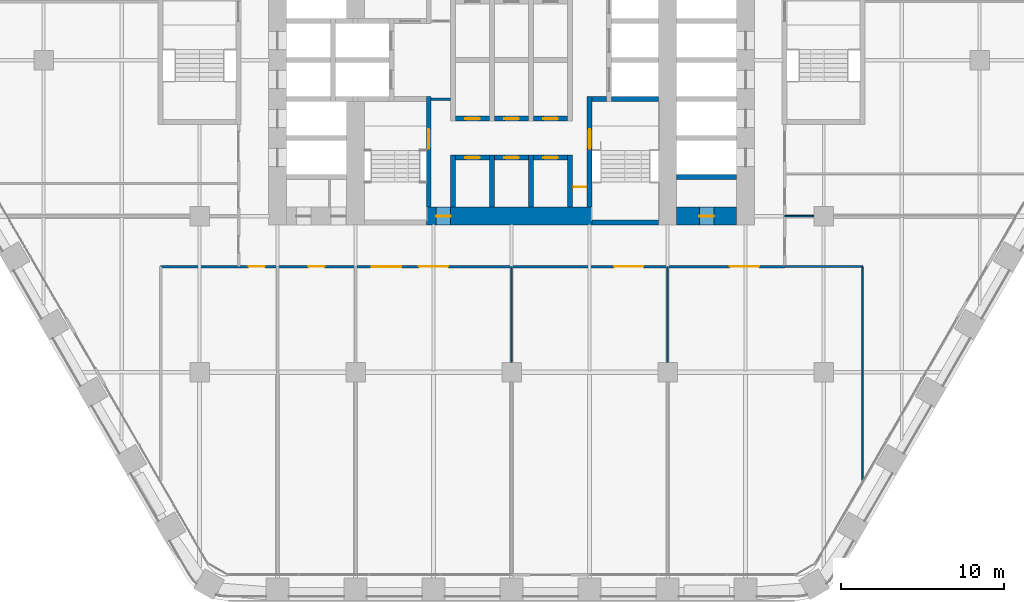
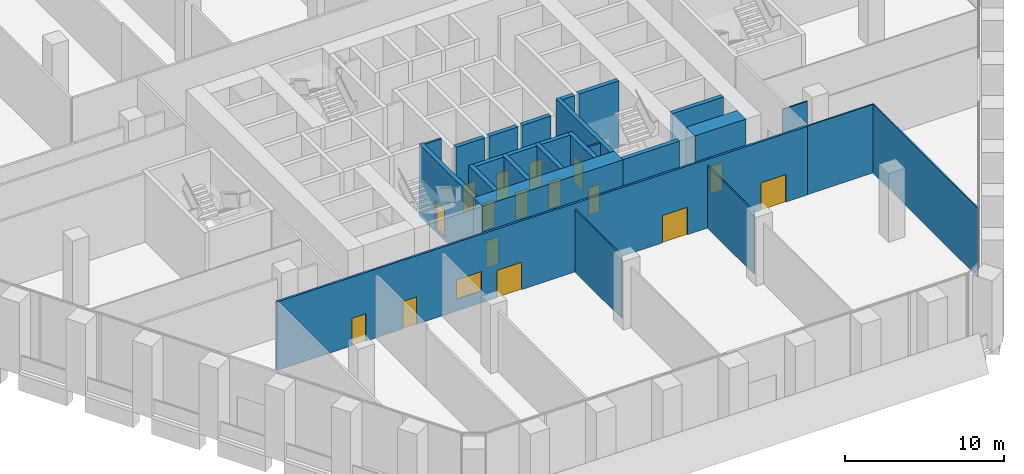
# One storey, part 18 of 27: 26 walls, 16 doors, 1 window, 17 openings.
"""IFC4 building model written with IfcOpenShell, lengths in metres."""

import ifcopenshell
import ifcopenshell.guid

model = None  # the IFC model being written
_history = None  # IfcOwnerHistory: only IFC2X3 demands one
_inside = {}  # id of a spatial element -> (the spatial element, [elements in it])
_under = {}  # id of a project, library or spatial element -> (it, [spatial elements below it])
_declared = {}  # id of a project -> (the project, [libraries it declares])
_typed = {}  # id of a type object -> (the type object, [elements of that type])
_made_of = {}  # id of a material, layer set ... -> (it, [elements and type objects made of it])


def new_model(schema):
    """Start an empty IFC model of exactly this schema.

    Asked for "IFC4X3", IfcOpenShell would pick the latest addendum, in which some entities
    have other attributes; the version numbers below select the first issue.
    IFC2X3 requires an IfcOwnerHistory on every rooted entity: one is made here for all.
    """
    global model, _history
    if schema == "IFC4X3":
        model = ifcopenshell.file(schema_version=(4, 3, 0, 0))
    else:
        model = ifcopenshell.file(schema=schema)
    _inside.clear()
    _under.clear()
    _declared.clear()
    _typed.clear()
    _made_of.clear()
    _history = None
    if model.schema == "IFC2X3":
        org = make("IfcOrganization", Name="unknown")
        user = make(
            "IfcPersonAndOrganization",
            ThePerson=make("IfcPerson", FamilyName="unknown"),
            TheOrganization=org,
        )
        app = make(
            "IfcApplication",
            ApplicationDeveloper=org,
            Version="unknown",
            ApplicationFullName="unknown",
            ApplicationIdentifier="unknown",
        )
        _history = make(
            "IfcOwnerHistory",
            OwningUser=user,
            OwningApplication=app,
            ChangeAction="ADDED",
            CreationDate=0,
        )
    return model


def make(cls, **values):
    """One entity of the class cls with the attributes given. An attribute that is None is left unset."""
    return model.create_entity(
        cls, **{name: value for name, value in values.items() if value is not None}
    )


def rooted(cls, **values):
    """An entity with a GlobalId (a new one), such as an element, a storey or a relation."""
    return make(cls, GlobalId=ifcopenshell.guid.new(), OwnerHistory=_history, **values)


def si_unit(unit_type, name, prefix=None):
    """IfcSIUnit, for example si_unit("LENGTHUNIT", "METRE", prefix="MILLI")."""
    return make("IfcSIUnit", UnitType=unit_type, Prefix=prefix, Name=name)


def assignment(units):
    """IfcUnitAssignment: the units of a project."""
    return None if units is None else make("IfcUnitAssignment", Units=units)


def point(xyz):
    """IfcCartesianPoint."""
    return None if xyz is None else make("IfcCartesianPoint", Coordinates=xyz)


def direction(xyz):
    """IfcDirection."""
    return None if xyz is None else make("IfcDirection", DirectionRatios=xyz)


def frame(location, z_axis=None, x_axis=None):
    """IfcAxis2Placement3D, a coordinate frame: its origin and axes. An axis left out is left unset."""
    return make(
        "IfcAxis2Placement3D",
        Location=point(location),
        Axis=direction(z_axis),
        RefDirection=direction(x_axis),
    )


def frame_2d(location, x_axis=None):
    """IfcAxis2Placement2D, a coordinate frame in the plane: its origin and x axis."""
    return make(
        "IfcAxis2Placement2D", Location=point(location), RefDirection=direction(x_axis)
    )


def origin():
    """The frame at (0, 0, 0) with its axes left unset."""
    return frame((0.0, 0.0, 0.0))


def place(relative_to, where):
    """IfcLocalPlacement: puts the frame where relative to a parent placement (None: the world)."""
    return make(
        "IfcLocalPlacement", PlacementRelTo=relative_to, RelativePlacement=where
    )


def context(
    kind, dimensions, precision=None, world=None, true_north=None, identifier=None
):
    """IfcGeometricRepresentationContext, for example the 3D "Model" context."""
    return make(
        "IfcGeometricRepresentationContext",
        ContextIdentifier=identifier,
        ContextType=kind,
        CoordinateSpaceDimension=dimensions,
        Precision=precision,
        WorldCoordinateSystem=world,
        TrueNorth=true_north,
    )


def subcontext(parent, identifier, kind, view, scale=None):
    """IfcGeometricRepresentationSubContext, for example "Body" below "Model"."""
    return make(
        "IfcGeometricRepresentationSubContext",
        ContextIdentifier=identifier,
        ContextType=kind,
        ParentContext=parent,
        TargetScale=scale,
        TargetView=view,
    )


def project(units=None, contexts=None):
    """IfcProject with its units and contexts."""
    return rooted(
        "IfcProject",
        Name="project",
        RepresentationContexts=contexts,
        UnitsInContext=assignment(units),
    )


def spatial(cls, under=None, at=None, **own):
    """A site, building, storey or space (cls), placed at a placement, below another one or the project."""
    s = rooted(cls, ObjectPlacement=at, **own)
    if under is not None:
        _under.setdefault(under.id(), (under, []))[1].append(s)
    return s


def profile(cls, at=None, kind="AREA", **sizes):
    """A parametric profile (cls). Its sizes go by their IFC names, for example OverallWidth=200.0."""
    return make(cls, ProfileType=kind, Position=at, **sizes)


def rectangle(**sizes):
    """IfcRectangleProfileDef."""
    return profile("IfcRectangleProfileDef", **sizes)


def extrude(swept, where, along, depth):
    """IfcExtrudedAreaSolid: the profile swept, set in the frame where, extruded along a direction by depth."""
    return make(
        "IfcExtrudedAreaSolid",
        SweptArea=swept,
        Position=where,
        ExtrudedDirection=direction(along),
        Depth=depth,
    )


def shape(context_of_items, identifier, shape_type, items):
    """IfcShapeRepresentation: the items that make up one representation, for example the "Body"."""
    return make(
        "IfcShapeRepresentation",
        ContextOfItems=context_of_items,
        RepresentationIdentifier=identifier,
        RepresentationType=shape_type,
        Items=items,
    )


def material(Name=None, Category=None):
    """IfcMaterial."""
    return make("IfcMaterial", Name=Name, Category=Category)


def layer(
    of_material, thickness, ventilated=None, Name=None, Category=None, Priority=None
):
    """IfcMaterialLayer: one layer of a wall or slab, of a material (None: an air gap)."""
    return make(
        "IfcMaterialLayer",
        Material=of_material,
        LayerThickness=thickness,
        IsVentilated=ventilated,
        Name=Name,
        Category=Category,
        Priority=Priority,
    )


def layer_set(layers, Name=None):
    """IfcMaterialLayerSet."""
    return make("IfcMaterialLayerSet", MaterialLayers=layers, LayerSetName=Name)


def made_of(thing, what):
    """Note that an element or type object is made of a material, layer set ...; save() writes the relation."""
    if what is not None:
        _made_of.setdefault(what.id(), (what, []))[1].append(thing)
    return thing


def type_object(cls, material=None, **own):
    """A type object (cls), such as IfcWallType, which elements share."""
    return made_of(rooted(cls, **own), material)


def element(
    cls,
    number,
    at=None,
    inside=None,
    cuts=None,
    type_object=None,
    material=None,
    context=None,
    identifier="Body",
    shape_type=None,
    held_by="IfcProductDefinitionShape",
    body=None,
    shapes=None,
    **own,
):
    """One element of the class cls, such as IfcWall. Its Tag is "e" and its number.

    at: its placement. inside: the storey or other place that contains it. cuts: it is an
    opening in that element (IfcRelVoidsElement). A single representation is given by context,
    identifier, shape_type and body (its items); several are given by shapes. held_by: the class
    of the entity that holds the representations. save() writes the other relations.
    """
    e = rooted(cls, Tag="e%d" % number, ObjectPlacement=at, **own)
    if body is not None:
        shapes = [shape(context, identifier, shape_type, body)]
    if shapes is not None:
        e.Representation = make(held_by, Representations=shapes)
    if inside is not None:
        _inside.setdefault(inside.id(), (inside, []))[1].append(e)
    if cuts is not None:
        rooted(
            "IfcRelVoidsElement", RelatingBuildingElement=cuts, RelatedOpeningElement=e
        )
    if type_object is not None:
        _typed.setdefault(type_object.id(), (type_object, []))[1].append(e)
    return made_of(e, material)


def fill(opening, filler):
    """IfcRelFillsElement: the door or window that sits in an opening."""
    return rooted(
        "IfcRelFillsElement",
        RelatingOpeningElement=opening,
        RelatedBuildingElement=filler,
    )


def aggregate(whole, parts):
    """IfcRelAggregates: a whole, such as a stair, and the parts it consists of."""
    return rooted("IfcRelAggregates", RelatingObject=whole, RelatedObjects=parts)


def save(model, path):
    """Write the relations noted so far, then the file.

    IfcRelAggregates (storeys below a building ...), IfcRelContainedInSpatialStructure (elements
    in a storey), IfcRelDefinesByType, IfcRelAssociatesMaterial and IfcRelDeclares: one each for
    every whole, place, type object, material and project.
    """
    for whole, parts in _under.values():
        aggregate(whole, parts)
    for where, things in _inside.values():
        rooted(
            "IfcRelContainedInSpatialStructure",
            RelatedElements=things,
            RelatingStructure=where,
        )
    for kind, things in _typed.values():
        rooted("IfcRelDefinesByType", RelatedObjects=things, RelatingType=kind)
    for what, things in _made_of.values():
        rooted("IfcRelAssociatesMaterial", RelatedObjects=things, RelatingMaterial=what)
    for by, libraries in _declared.values():
        rooted("IfcRelDeclares", RelatingContext=by, RelatedDefinitions=libraries)
    model.write(path)


model = new_model("IFC4")

# Units and contexts
model_context = context("Model", 3, precision=1e-05, world=origin(), true_north=direction((0.0, 1.0)))
body_context = subcontext(model_context, "Body", "Model", "MODEL_VIEW")
ifc_project = project(units=[si_unit("LENGTHUNIT", "METRE"), si_unit("AREAUNIT", "SQUARE_METRE"), si_unit("VOLUMEUNIT", "CUBIC_METRE"), si_unit("PLANEANGLEUNIT", "RADIAN"), si_unit("MASSUNIT", "GRAM", prefix="KILO")], contexts=[model_context])

# Site, building, storey
site_placement = place(None, origin())
site = spatial("IfcSite", under=ifc_project, at=site_placement, CompositionType="ELEMENT")
building_placement = place(site_placement, origin())
building = spatial("IfcBuilding", under=site, at=building_placement, Name="Kolab Exchange Tower", CompositionType="ELEMENT")
storey_placement = place(building_placement, frame((0.0, 0.0, 22.39990234375)))
storey = spatial("IfcBuildingStorey", under=building, at=storey_placement, Name="L04", CompositionType="ELEMENT", Elevation=22.39990234375)

# Wall, opening, door
ifc_material_1 = material(Name="Concrete C80/95", Category="concrete")
ifc_layer_1 = layer(ifc_material_1, 1.10009765625)
ifc_layer_set_1 = layer_set([ifc_layer_1], Name="Concrete C80/95")
wall_type_1 = type_object("IfcWallType", Name="CORE WALL 1100 C80/95", PredefinedType="SHEAR", material=ifc_layer_set_1)
wall_1_placement = place(storey_placement, frame((-5.25, -9.60009765625, -0.25), z_axis=(0.0, 0.0, 1.0), x_axis=(1.0, 0.0, 0.0)))
wall_1 = element("IfcWall", 1, at=wall_1_placement, inside=storey, type_object=wall_type_1, Name="wall/L04/core/003", PredefinedType="SHEAR", context=body_context, shape_type="SweptSolid", body=[
    extrude(rectangle(XDim=10.199951171875, YDim=1.10009765625, at=frame_2d((5.10009765625, 0.0))), origin(), (0.0, 0.0, 1.0), 5.5),
])
opening_1_placement = place(wall_1_placement, frame((0.60009765625, 0.0, 0.25)))
opening_1 = element("IfcOpeningElement", 2, at=opening_1_placement, cuts=wall_1, Name="Opening D6-096", PredefinedType="OPENING", context=body_context, shape_type="SweptSolid", body=[
    extrude(rectangle(XDim=0.89990234375, YDim=2.10009765625, at=frame_2d((0.449951171875, 1.050048828125))), frame((0.0, 0.56005859375, 0.0), z_axis=(0.0, -1.0, 0.0), x_axis=(1.0, 0.0, 0.0)), (0.0, 0.0, 1.0), 1.1201171875),
])
ifc_material_2 = material(Name="Steel S235", Category="steel")
door_type_1 = type_object("IfcDoorType", Name="CORE DOOR 900 EI 120", OperationType="SINGLE_SWING_LEFT", PredefinedType="DOOR", material=ifc_material_2)
door_1_placement = place(opening_1_placement, origin())
door_1 = element("IfcDoor", 3, at=door_1_placement, inside=storey, type_object=door_type_1, Name="Core lobby door", OperationType="SINGLE_SWING_RIGHT", OverallHeight=2.10009765625, OverallWidth=0.89990234375, PredefinedType="DOOR", context=body_context, shape_type="SweptSolid", body=[
    extrude(rectangle(XDim=0.89990234375, YDim=2.10009765625, at=frame_2d((0.449951171875, 1.050048828125))), frame((0.0, 0.02490234375, 0.0), z_axis=(0.0, -1.0, 0.0), x_axis=(1.0, 0.0, 0.0)), (0.0, 0.0, 1.0), 0.050048828125),
])
fill(opening_1, door_1)

wall_2_placement = place(storey_placement, frame((10.14990234375, -9.60009765625, -0.25), z_axis=(0.0, 0.0, 1.0), x_axis=(1.0, 0.0, 0.0)))
wall_2 = element("IfcWall", 4, at=wall_2_placement, inside=storey, type_object=wall_type_1, Name="wall/L04/core/004", PredefinedType="SHEAR", context=body_context, shape_type="SweptSolid", body=[
    extrude(rectangle(XDim=3.7001953125, YDim=1.10009765625, at=frame_2d((1.85009765625, 0.0))), origin(), (0.0, 0.0, 1.0), 5.5),
])
opening_2_placement = place(wall_2_placement, frame((1.39990234375, 0.0, 0.25)))
opening_2 = element("IfcOpeningElement", 5, at=opening_2_placement, cuts=wall_2, Name="Opening D6-100", PredefinedType="OPENING", context=body_context, shape_type="SweptSolid", body=[
    extrude(rectangle(XDim=0.89990234375, YDim=2.10009765625, at=frame_2d((0.449951171875, 1.050048828125))), frame((0.0, 0.56005859375, 0.0), z_axis=(0.0, -1.0, 0.0), x_axis=(1.0, 0.0, 0.0)), (0.0, 0.0, 1.0), 1.1201171875),
])
door_2_placement = place(opening_2_placement, origin())
door_2 = element("IfcDoor", 6, at=door_2_placement, inside=storey, type_object=door_type_1, Name="Service room door", OperationType="SINGLE_SWING_LEFT", OverallHeight=2.10009765625, OverallWidth=0.89990234375, PredefinedType="DOOR", context=body_context, shape_type="SweptSolid", body=[
    extrude(rectangle(XDim=0.89990234375, YDim=2.10009765625, at=frame_2d((0.449951171875, 1.050048828125))), frame((0.0, 0.02490234375, 0.0), z_axis=(0.0, -1.0, 0.0), x_axis=(1.0, 0.0, 0.0)), (0.0, 0.0, 1.0), 0.050048828125),
])
fill(opening_2, door_2)

# Wall
ifc_material_3 = material(Name="Concrete C50/60", Category="concrete")
ifc_layer_2 = layer(ifc_material_3, 0.300048828125)
ifc_layer_set_2 = layer_set([ifc_layer_2], Name="Concrete C50/60")
wall_type_2 = type_object("IfcWallType", Name="LIFT SHAFT WALL 300 C50/60", PredefinedType="STANDARD", material=ifc_layer_set_2)
wall_3_placement = place(storey_placement, frame((10.14990234375, -7.199951171875, -0.25), z_axis=(0.0, 0.0, 1.0), x_axis=(1.0, 0.0, 0.0)))
element("IfcWall", 7, at=wall_3_placement, inside=storey, type_object=wall_type_2, Name="wall/L04/core/006", PredefinedType="STANDARD", context=body_context, shape_type="SweptSolid", body=[
    extrude(rectangle(XDim=3.7001953125, YDim=0.300048828125, at=frame_2d((1.85009765625, 0.0))), origin(), (0.0, 0.0, 1.0), 5.5),
])

# Wall, opening, door
wall_4_placement = place(storey_placement, frame((-3.449951171875, -6.0, -0.25), z_axis=(0.0, 0.0, 1.0), x_axis=(1.0, 0.0, 0.0)))
wall_4 = element("IfcWall", 8, at=wall_4_placement, inside=storey, type_object=wall_type_2, Name="wall/L04/core/007", PredefinedType="STANDARD", context=body_context, shape_type="SweptSolid", body=[
    extrude(rectangle(XDim=2.099853515625, YDim=0.300048828125, at=frame_2d((1.0498046875, 0.0))), origin(), (0.0, 0.0, 1.0), 5.5),
])
opening_3_placement = place(wall_4_placement, frame((0.60009765625, 0.0, 0.25)))
opening_3 = element("IfcOpeningElement", 9, at=opening_3_placement, cuts=wall_4, Name="Opening D6-095", PredefinedType="OPENING", context=body_context, shape_type="SweptSolid", body=[
    extrude(rectangle(XDim=0.89990234375, YDim=2.10009765625, at=frame_2d((0.449951171875, 1.050048828125))), frame((0.0, 0.16015625, 0.0), z_axis=(0.0, -1.0, 0.0), x_axis=(1.0, 0.0, 0.0)), (0.0, 0.0, 1.0), 0.320068359375),
])
door_3_placement = place(opening_3_placement, frame((0.89990234375, 0.0, 0.0), z_axis=(0.0, 0.0, 1.0), x_axis=(-1.0, 0.0, 0.0)))
door_3 = element("IfcDoor", 10, at=door_3_placement, inside=storey, type_object=door_type_1, Name="Service room door", OperationType="SINGLE_SWING_LEFT", OverallHeight=2.10009765625, OverallWidth=0.89990234375, PredefinedType="DOOR", context=body_context, shape_type="SweptSolid", body=[
    extrude(rectangle(XDim=0.89990234375, YDim=2.10009765625, at=frame_2d((0.449951171875, 1.050048828125))), frame((0.0, 0.02490234375, 0.0), z_axis=(0.0, -1.0, 0.0), x_axis=(1.0, 0.0, 0.0)), (0.0, 0.0, 1.0), 0.050048828125),
])
fill(opening_3, door_3)

wall_5_placement = place(storey_placement, frame((-1.050048828125, -6.0, -0.25), z_axis=(0.0, 0.0, 1.0), x_axis=(1.0, 0.0, 0.0)))
wall_5 = element("IfcWall", 11, at=wall_5_placement, inside=storey, type_object=wall_type_2, Name="wall/L04/core/008", PredefinedType="STANDARD", context=body_context, shape_type="SweptSolid", body=[
    extrude(rectangle(XDim=2.10009765625, YDim=0.300048828125, at=frame_2d((1.050048828125, 0.0))), origin(), (0.0, 0.0, 1.0), 5.5),
])
opening_4_placement = place(wall_5_placement, frame((0.60009765625, 0.0, 0.25)))
opening_4 = element("IfcOpeningElement", 12, at=opening_4_placement, cuts=wall_5, Name="Opening D6-094", PredefinedType="OPENING", context=body_context, shape_type="SweptSolid", body=[
    extrude(rectangle(XDim=0.89990234375, YDim=2.10009765625, at=frame_2d((0.449951171875, 1.050048828125))), frame((0.0, 0.16015625, 0.0), z_axis=(0.0, -1.0, 0.0), x_axis=(1.0, 0.0, 0.0)), (0.0, 0.0, 1.0), 0.320068359375),
])
door_4_placement = place(opening_4_placement, frame((0.89990234375, 0.0, 0.0), z_axis=(0.0, 0.0, 1.0), x_axis=(-1.0, 0.0, 0.0)))
door_4 = element("IfcDoor", 13, at=door_4_placement, inside=storey, type_object=door_type_1, Name="Service room door", OperationType="SINGLE_SWING_LEFT", OverallHeight=2.10009765625, OverallWidth=0.89990234375, PredefinedType="DOOR", context=body_context, shape_type="SweptSolid", body=[
    extrude(rectangle(XDim=0.89990234375, YDim=2.10009765625, at=frame_2d((0.449951171875, 1.050048828125))), frame((0.0, 0.02490234375, 0.0), z_axis=(0.0, -1.0, 0.0), x_axis=(1.0, 0.0, 0.0)), (0.0, 0.0, 1.0), 0.050048828125),
])
fill(opening_4, door_4)

wall_6_placement = place(storey_placement, frame((1.35009765625, -6.0, -0.25), z_axis=(0.0, 0.0, 1.0), x_axis=(1.0, 0.0, 0.0)))
wall_6 = element("IfcWall", 14, at=wall_6_placement, inside=storey, type_object=wall_type_2, Name="wall/L04/core/009", PredefinedType="STANDARD", context=body_context, shape_type="SweptSolid", body=[
    extrude(rectangle(XDim=2.099853515625, YDim=0.300048828125, at=frame_2d((1.0498046875, 0.0))), origin(), (0.0, 0.0, 1.0), 5.5),
])
opening_5_placement = place(wall_6_placement, frame((0.60009765625, 0.0, 0.25)))
opening_5 = element("IfcOpeningElement", 15, at=opening_5_placement, cuts=wall_6, Name="Opening D6-093", PredefinedType="OPENING", context=body_context, shape_type="SweptSolid", body=[
    extrude(rectangle(XDim=0.89990234375, YDim=2.10009765625, at=frame_2d((0.449951171875, 1.050048828125))), frame((0.0, 0.16015625, 0.0), z_axis=(0.0, -1.0, 0.0), x_axis=(1.0, 0.0, 0.0)), (0.0, 0.0, 1.0), 0.320068359375),
])
door_5_placement = place(opening_5_placement, frame((0.89990234375, 0.0, 0.0), z_axis=(0.0, 0.0, 1.0), x_axis=(-1.0, 0.0, 0.0)))
door_5 = element("IfcDoor", 16, at=door_5_placement, inside=storey, type_object=door_type_1, Name="Service room door", OperationType="SINGLE_SWING_RIGHT", OverallHeight=2.10009765625, OverallWidth=0.89990234375, PredefinedType="DOOR", context=body_context, shape_type="SweptSolid", body=[
    extrude(rectangle(XDim=0.89990234375, YDim=2.10009765625, at=frame_2d((0.449951171875, 1.050048828125))), frame((0.0, 0.02490234375, 0.0), z_axis=(0.0, -1.0, 0.0), x_axis=(1.0, 0.0, 0.0)), (0.0, 0.0, 1.0), 0.050048828125),
])
fill(opening_5, door_5)

wall_7_placement = place(storey_placement, frame((-3.449951171875, -3.60009765625, -0.25), z_axis=(0.0, 0.0, 1.0), x_axis=(1.0, 0.0, 0.0)))
wall_7 = element("IfcWall", 17, at=wall_7_placement, inside=storey, type_object=wall_type_2, Name="wall/L04/core/014", PredefinedType="STANDARD", context=body_context, shape_type="SweptSolid", body=[
    extrude(rectangle(XDim=2.099853515625, YDim=0.300048828125, at=frame_2d((1.0498046875, 0.0))), origin(), (0.0, 0.0, 1.0), 5.5),
])
opening_6_placement = place(wall_7_placement, frame((0.60009765625, 0.0, 0.25)))
opening_6 = element("IfcOpeningElement", 18, at=opening_6_placement, cuts=wall_7, Name="Opening D6-092", PredefinedType="OPENING", context=body_context, shape_type="SweptSolid", body=[
    extrude(rectangle(XDim=0.89990234375, YDim=2.10009765625, at=frame_2d((0.449951171875, 1.050048828125))), frame((0.0, 0.16015625, 0.0), z_axis=(0.0, -1.0, 0.0), x_axis=(1.0, 0.0, 0.0)), (0.0, 0.0, 1.0), 0.320068359375),
])
door_6_placement = place(opening_6_placement, origin())
door_6 = element("IfcDoor", 19, at=door_6_placement, inside=storey, type_object=door_type_1, Name="Service room door", OperationType="SINGLE_SWING_LEFT", OverallHeight=2.10009765625, OverallWidth=0.89990234375, PredefinedType="DOOR", context=body_context, shape_type="SweptSolid", body=[
    extrude(rectangle(XDim=0.89990234375, YDim=2.10009765625, at=frame_2d((0.449951171875, 1.050048828125))), frame((0.0, 0.02490234375, 0.0), z_axis=(0.0, -1.0, 0.0), x_axis=(1.0, 0.0, 0.0)), (0.0, 0.0, 1.0), 0.050048828125),
])
fill(opening_6, door_6)

wall_8_placement = place(storey_placement, frame((-1.050048828125, -3.60009765625, -0.25), z_axis=(0.0, 0.0, 1.0), x_axis=(1.0, 0.0, 0.0)))
wall_8 = element("IfcWall", 20, at=wall_8_placement, inside=storey, type_object=wall_type_2, Name="wall/L04/core/015", PredefinedType="STANDARD", context=body_context, shape_type="SweptSolid", body=[
    extrude(rectangle(XDim=2.10009765625, YDim=0.300048828125, at=frame_2d((1.050048828125, 0.0))), origin(), (0.0, 0.0, 1.0), 5.5),
])
opening_7_placement = place(wall_8_placement, frame((0.60009765625, 0.0, 0.25)))
opening_7 = element("IfcOpeningElement", 21, at=opening_7_placement, cuts=wall_8, Name="Opening D6-091", PredefinedType="OPENING", context=body_context, shape_type="SweptSolid", body=[
    extrude(rectangle(XDim=0.89990234375, YDim=2.10009765625, at=frame_2d((0.449951171875, 1.050048828125))), frame((0.0, 0.16015625, 0.0), z_axis=(0.0, -1.0, 0.0), x_axis=(1.0, 0.0, 0.0)), (0.0, 0.0, 1.0), 0.320068359375),
])
door_7_placement = place(opening_7_placement, origin())
door_7 = element("IfcDoor", 22, at=door_7_placement, inside=storey, type_object=door_type_1, Name="Service room door", OperationType="SINGLE_SWING_LEFT", OverallHeight=2.10009765625, OverallWidth=0.89990234375, PredefinedType="DOOR", context=body_context, shape_type="SweptSolid", body=[
    extrude(rectangle(XDim=0.89990234375, YDim=2.10009765625, at=frame_2d((0.449951171875, 1.050048828125))), frame((0.0, 0.02490234375, 0.0), z_axis=(0.0, -1.0, 0.0), x_axis=(1.0, 0.0, 0.0)), (0.0, 0.0, 1.0), 0.050048828125),
])
fill(opening_7, door_7)

wall_9_placement = place(storey_placement, frame((1.35009765625, -3.60009765625, -0.25), z_axis=(0.0, 0.0, 1.0), x_axis=(1.0, 0.0, 0.0)))
wall_9 = element("IfcWall", 23, at=wall_9_placement, inside=storey, type_object=wall_type_2, Name="wall/L04/core/016", PredefinedType="STANDARD", context=body_context, shape_type="SweptSolid", body=[
    extrude(rectangle(XDim=2.099853515625, YDim=0.300048828125, at=frame_2d((1.0498046875, 0.0))), origin(), (0.0, 0.0, 1.0), 5.5),
])
opening_8_placement = place(wall_9_placement, frame((0.60009765625, 0.0, 0.25)))
opening_8 = element("IfcOpeningElement", 24, at=opening_8_placement, cuts=wall_9, Name="Opening D6-090", PredefinedType="OPENING", context=body_context, shape_type="SweptSolid", body=[
    extrude(rectangle(XDim=0.89990234375, YDim=2.10009765625, at=frame_2d((0.449951171875, 1.050048828125))), frame((0.0, 0.16015625, 0.0), z_axis=(0.0, -1.0, 0.0), x_axis=(1.0, 0.0, 0.0)), (0.0, 0.0, 1.0), 0.320068359375),
])
door_8_placement = place(opening_8_placement, origin())
door_8 = element("IfcDoor", 25, at=door_8_placement, inside=storey, type_object=door_type_1, Name="Service room door", OperationType="SINGLE_SWING_RIGHT", OverallHeight=2.10009765625, OverallWidth=0.89990234375, PredefinedType="DOOR", context=body_context, shape_type="SweptSolid", body=[
    extrude(rectangle(XDim=0.89990234375, YDim=2.10009765625, at=frame_2d((0.449951171875, 1.050048828125))), frame((0.0, 0.02490234375, 0.0), z_axis=(0.0, -1.0, 0.0), x_axis=(1.0, 0.0, 0.0)), (0.0, 0.0, 1.0), 0.050048828125),
])
fill(opening_8, door_8)

# Walls
for number, where, z_axis, x_axis, name in (
    (26, (-3.60009765625, -9.050048828125, -0.25), (0.0, 0.0, 1.0), (0.0, 1.0, 0.0), "wall/L04/core/066"),
    (27, (-1.199951171875, -9.050048828125, -0.25), (0.0, 0.0, 1.0), (0.0, 1.0, 0.0), "wall/L04/core/069"),
    (28, (1.199951171875, -9.050048828125, -0.25), (0.0, 0.0, 1.0), (0.0, 1.0, 0.0), "wall/L04/core/072"),
    (29, (3.60009765625, -9.050048828125, -0.25), (0.0, 0.0, 1.0), (0.0, 1.0, 0.0), "wall/L04/core/075"),
):
    element("IfcWall", number, at=place(storey_placement, frame(where, z_axis=z_axis, x_axis=x_axis)), inside=storey, type_object=wall_type_2, Name=name, PredefinedType="STANDARD", context=body_context, shape_type="SweptSolid", body=[
        extrude(rectangle(XDim=3.199951171875, YDim=0.300048828125, at=frame_2d((1.60009765625, 0.0))), origin(), (0.0, 0.0, 1.0), 5.5),
    ])
ifc_material_4 = material(Name="Gypsum board", Category="gypsum")
ifc_layer_3 = layer(ifc_material_4, 0.10009765625)
ifc_layer_set_3 = layer_set([ifc_layer_3], Name="Gypsum board")
wall_type_3 = type_object("IfcWallType", Name="PARTITION 100", PredefinedType="PARTITIONING", material=ifc_layer_set_3)
wall_10_placement = place(storey_placement, frame((21.60009765625, -25.8583984375, 0.0), z_axis=(0.0, 0.0, 1.0), x_axis=(0.0, 1.0, 0.0)))
element("IfcWall", 30, at=wall_10_placement, inside=storey, type_object=wall_type_3, Name="Partition 000", PredefinedType="PARTITIONING", context=body_context, shape_type="SweptSolid", body=[
    extrude(rectangle(XDim=13.158447265625, YDim=0.10009765625, at=frame_2d((6.5791015625, 0.0))), origin(), (0.0, 0.0, 1.0), 5.25),
])
for number, where, z_axis, x_axis, name in (
    (31, (9.60009765625, -18.60009765625, 0.0), (0.0, 0.0, 1.0), (0.0, 1.0, 0.0), "Partition 007"),
    (32, (0.0, -18.60009765625, 0.0), (0.0, 0.0, 1.0), (0.0, 1.0, 0.0), "Partition 014"),
):
    element("IfcWall", number, at=place(storey_placement, frame(where, z_axis=z_axis, x_axis=x_axis)), inside=storey, type_object=wall_type_3, Name=name, PredefinedType="PARTITIONING", context=body_context, shape_type="SweptSolid", body=[
        extrude(rectangle(XDim=5.900146484375, YDim=0.10009765625, at=frame_2d((2.9501953125, 0.0))), origin(), (0.0, 0.0, 1.0), 4.793212890625),
    ])
wall_11_placement = place(storey_placement, frame((16.800048828125, -12.699951171875, 0.0), z_axis=(0.0, 0.0, 1.0), x_axis=(1.0, 0.0, 0.0)))
element("IfcWall", 33, at=wall_11_placement, inside=storey, type_object=wall_type_3, Name="Partition 030", PredefinedType="PARTITIONING", context=body_context, shape_type="SweptSolid", body=[
    extrude(rectangle(XDim=4.800048828125, YDim=0.10009765625, at=frame_2d((2.39990234375, 0.0))), origin(), (0.0, 0.0, 1.0), 5.25),
])
wall_12_placement = place(storey_placement, frame((16.800048828125, -9.60009765625, 0.0), z_axis=(0.0, 0.0, 1.0), x_axis=(1.0, 0.0, 0.0)))
element("IfcWall", 34, at=wall_12_placement, inside=storey, type_object=wall_type_3, Name="Partition 032", PredefinedType="PARTITIONING", context=body_context, shape_type="SweptSolid", body=[
    extrude(rectangle(XDim=1.800048828125, YDim=0.10009765625, at=frame_2d((0.89990234375, 0.0))), origin(), (0.0, 0.0, 1.0), 4.64208984375),
])

# Wall, openings, doors, window
ifc_layer_4 = layer(ifc_material_4, 0.14990234375)
ifc_layer_set_4 = layer_set([ifc_layer_4], Name="Gypsum board")
wall_type_4 = type_object("IfcWallType", Name="PARTITION 150 FIRE-RATED", PredefinedType="PARTITIONING", material=ifc_layer_set_4)
wall_13_placement = place(storey_placement, frame((-21.60009765625, -12.699951171875, 0.0), z_axis=(0.0, 0.0, 1.0), x_axis=(1.0, 0.0, 0.0)))
wall_13 = element("IfcWall", 35, at=wall_13_placement, inside=storey, type_object=wall_type_4, Name="Partition 031", PredefinedType="PARTITIONING", context=body_context, shape_type="SweptSolid", body=[
    extrude(rectangle(XDim=38.400146484375, YDim=0.14990234375, at=frame_2d((19.2001953125, 0.0))), origin(), (0.0, 0.0, 1.0), 5.25),
])
opening_9_placement = place(wall_13_placement, frame((5.425048828125, 0.0, 0.0)))
opening_9 = element("IfcOpeningElement", 36, at=opening_9_placement, cuts=wall_13, Name="Opening D1-071", PredefinedType="OPENING", context=body_context, shape_type="SweptSolid", body=[
    extrude(rectangle(XDim=1.0, YDim=2.10009765625, at=frame_2d((0.5, 1.050048828125))), frame((0.0, 0.0849609375, 0.0), z_axis=(0.0, -1.0, 0.0), x_axis=(1.0, 0.0, 0.0)), (0.0, 0.0, 1.0), 0.169921875),
])
opening_10_placement = place(wall_13_placement, frame((9.10009765625, 0.0, 0.0)))
opening_10 = element("IfcOpeningElement", 37, at=opening_10_placement, cuts=wall_13, Name="Opening D1-072", PredefinedType="OPENING", context=body_context, shape_type="SweptSolid", body=[
    extrude(rectangle(XDim=1.0, YDim=2.10009765625, at=frame_2d((0.5, 1.050048828125))), frame((0.0, 0.0849609375, 0.0), z_axis=(0.0, -1.0, 0.0), x_axis=(1.0, 0.0, 0.0)), (0.0, 0.0, 1.0), 0.169921875),
])
opening_11_placement = place(wall_13_placement, frame((15.89990234375, 0.0, 0.0)))
opening_11 = element("IfcOpeningElement", 38, at=opening_11_placement, cuts=wall_13, Name="Opening D2-010", PredefinedType="OPENING", context=body_context, shape_type="SweptSolid", body=[
    extrude(rectangle(XDim=1.800048828125, YDim=2.10009765625, at=frame_2d((0.89990234375, 1.050048828125))), frame((0.0, 0.0849609375, 0.0), z_axis=(0.0, -1.0, 0.0), x_axis=(1.0, 0.0, 0.0)), (0.0, 0.0, 1.0), 0.169921875),
])
opening_12_placement = place(wall_13_placement, frame((27.9150390625, 0.0, 0.0)))
opening_12 = element("IfcOpeningElement", 39, at=opening_12_placement, cuts=wall_13, Name="Opening D2-011", PredefinedType="OPENING", context=body_context, shape_type="SweptSolid", body=[
    extrude(rectangle(XDim=1.800048828125, YDim=2.10009765625, at=frame_2d((0.89990234375, 1.050048828125))), frame((0.0, 0.0849609375, 0.0), z_axis=(0.0, -1.0, 0.0), x_axis=(1.0, 0.0, 0.0)), (0.0, 0.0, 1.0), 0.169921875),
])
opening_13_placement = place(wall_13_placement, frame((35.02490234375, 0.0, 0.0)))
opening_13 = element("IfcOpeningElement", 40, at=opening_13_placement, cuts=wall_13, Name="Opening D2-012", PredefinedType="OPENING", context=body_context, shape_type="SweptSolid", body=[
    extrude(rectangle(XDim=1.800048828125, YDim=2.10009765625, at=frame_2d((0.89990234375, 1.050048828125))), frame((0.0, 0.0849609375, 0.0), z_axis=(0.0, -1.0, 0.0), x_axis=(1.0, 0.0, 0.0)), (0.0, 0.0, 1.0), 0.169921875),
])
opening_14_placement = place(wall_13_placement, frame((13.0, 0.0, 0.89990234375)))
opening_14 = element("IfcOpeningElement", 41, at=opening_14_placement, cuts=wall_13, Name="Opening W1-001", PredefinedType="OPENING", context=body_context, shape_type="SweptSolid", body=[
    extrude(rectangle(XDim=1.800048828125, YDim=1.5, at=frame_2d((0.89990234375, 0.75))), frame((0.0, 0.0849609375, 0.0), z_axis=(0.0, -1.0, 0.0), x_axis=(1.0, 0.0, 0.0)), (0.0, 0.0, 1.0), 0.169921875),
])
door_type_2 = type_object("IfcDoorType", Name="DOUBLE DOOR 1800 FD60", OperationType="DOUBLE_DOOR_SINGLE_SWING", PredefinedType="DOOR", material=ifc_material_2)
door_9_placement = place(opening_11_placement, frame((1.800048828125, 0.0, 0.0), z_axis=(0.0, 0.0, 1.0), x_axis=(-1.0, 0.0, 0.0)))
door_9 = element("IfcDoor", 42, at=door_9_placement, inside=storey, type_object=door_type_2, Name="Door L04-056", OperationType="SINGLE_SWING_LEFT", OverallHeight=2.10009765625, OverallWidth=1.800048828125, PredefinedType="DOOR", context=body_context, shape_type="SweptSolid", body=[
    extrude(rectangle(XDim=1.800048828125, YDim=2.10009765625, at=frame_2d((0.89990234375, 1.050048828125))), frame((0.0, 0.02490234375, 0.0), z_axis=(0.0, -1.0, 0.0), x_axis=(1.0, 0.0, 0.0)), (0.0, 0.0, 1.0), 0.050048828125),
])
fill(opening_11, door_9)
door_10_placement = place(opening_12_placement, frame((1.800048828125, 0.0, 0.0), z_axis=(0.0, 0.0, 1.0), x_axis=(-1.0, 0.0, 0.0)))
door_10 = element("IfcDoor", 43, at=door_10_placement, inside=storey, type_object=door_type_2, Name="Door L04-057", OperationType="SINGLE_SWING_RIGHT", OverallHeight=2.10009765625, OverallWidth=1.800048828125, PredefinedType="DOOR", context=body_context, shape_type="SweptSolid", body=[
    extrude(rectangle(XDim=1.800048828125, YDim=2.10009765625, at=frame_2d((0.89990234375, 1.050048828125))), frame((0.0, 0.02490234375, 0.0), z_axis=(0.0, -1.0, 0.0), x_axis=(1.0, 0.0, 0.0)), (0.0, 0.0, 1.0), 0.050048828125),
])
fill(opening_12, door_10)
door_11_placement = place(opening_13_placement, frame((1.800048828125, 0.0, 0.0), z_axis=(0.0, 0.0, 1.0), x_axis=(-1.0, 0.0, 0.0)))
door_11 = element("IfcDoor", 44, at=door_11_placement, inside=storey, type_object=door_type_2, Name="Door L04-058", OperationType="SINGLE_SWING_LEFT", OverallHeight=2.10009765625, OverallWidth=1.800048828125, PredefinedType="DOOR", context=body_context, shape_type="SweptSolid", body=[
    extrude(rectangle(XDim=1.800048828125, YDim=2.10009765625, at=frame_2d((0.89990234375, 1.050048828125))), frame((0.0, 0.02490234375, 0.0), z_axis=(0.0, -1.0, 0.0), x_axis=(1.0, 0.0, 0.0)), (0.0, 0.0, 1.0), 0.050048828125),
])
fill(opening_13, door_11)
door_type_3 = type_object("IfcDoorType", Name="FLUSH DOOR 1000 FD60", OperationType="SINGLE_SWING_LEFT", PredefinedType="DOOR", material=ifc_material_2)
door_12_placement = place(opening_9_placement, frame((1.0, 0.0, 0.0), z_axis=(0.0, 0.0, 1.0), x_axis=(-1.0, 0.0, 0.0)))
door_12 = element("IfcDoor", 45, at=door_12_placement, inside=storey, type_object=door_type_3, Name="Door L04-054", OperationType="SINGLE_SWING_RIGHT", OverallHeight=2.10009765625, OverallWidth=1.0, PredefinedType="DOOR", context=body_context, shape_type="SweptSolid", body=[
    extrude(rectangle(XDim=1.0, YDim=2.10009765625, at=frame_2d((0.5, 1.050048828125))), frame((0.0, 0.02490234375, 0.0), z_axis=(0.0, -1.0, 0.0), x_axis=(1.0, 0.0, 0.0)), (0.0, 0.0, 1.0), 0.050048828125),
])
fill(opening_9, door_12)
door_13_placement = place(opening_10_placement, frame((1.0, 0.0, 0.0), z_axis=(0.0, 0.0, 1.0), x_axis=(-1.0, 0.0, 0.0)))
door_13 = element("IfcDoor", 46, at=door_13_placement, inside=storey, type_object=door_type_3, Name="Door L04-055", OperationType="SINGLE_SWING_LEFT", OverallHeight=2.10009765625, OverallWidth=1.0, PredefinedType="DOOR", context=body_context, shape_type="SweptSolid", body=[
    extrude(rectangle(XDim=1.0, YDim=2.10009765625, at=frame_2d((0.5, 1.050048828125))), frame((0.0, 0.02490234375, 0.0), z_axis=(0.0, -1.0, 0.0), x_axis=(1.0, 0.0, 0.0)), (0.0, 0.0, 1.0), 0.050048828125),
])
fill(opening_10, door_13)
ifc_material_5 = material(Name="Fire-rated glazing", Category="glass")
window_type = type_object("IfcWindowType", Name="OBSERVATION WINDOW 1800 X 1500 EI 60", PartitioningType="SINGLE_PANEL", PredefinedType="WINDOW", material=ifc_material_5)
window_placement = place(opening_14_placement, origin())
window = element("IfcWindow", 47, at=window_placement, inside=storey, type_object=window_type, Name="Viewing window L04-1", OverallHeight=1.5, OverallWidth=1.800048828125, PartitioningType="SINGLE_PANEL", PredefinedType="WINDOW", context=body_context, shape_type="SweptSolid", body=[
    extrude(rectangle(XDim=1.800048828125, YDim=1.5, at=frame_2d((0.89990234375, 0.75))), frame((0.0, 0.030029296875, 0.0), z_axis=(0.0, -1.0, 0.0), x_axis=(1.0, 0.0, 0.0)), (0.0, 0.0, 1.0), 0.06005859375),
])
fill(opening_14, window)

# Wall, opening, door
wall_14_placement = place(storey_placement, frame((3.75, -7.800048828125, 0.0), z_axis=(0.0, 0.0, 1.0), x_axis=(1.0, 0.0, 0.0)))
wall_14 = element("IfcWall", 48, at=wall_14_placement, inside=storey, type_object=wall_type_4, Name="Partition 036", PredefinedType="PARTITIONING", context=body_context, shape_type="SweptSolid", body=[
    extrude(rectangle(XDim=0.89990234375, YDim=0.14990234375, at=frame_2d((0.449951171875, 0.0))), origin(), (0.0, 0.0, 1.0), 5.25),
])
opening_15_placement = place(wall_14_placement, frame((0.050048828125, 0.0, 0.0)))
opening_15 = element("IfcOpeningElement", 49, at=opening_15_placement, cuts=wall_14, Name="Opening D7-008", PredefinedType="OPENING", context=body_context, shape_type="SweptSolid", body=[
    extrude(rectangle(XDim=0.800048828125, YDim=2.10009765625, at=frame_2d((0.39990234375, 1.050048828125))), frame((0.0, 0.0849609375, 0.0), z_axis=(0.0, -1.0, 0.0), x_axis=(1.0, 0.0, 0.0)), (0.0, 0.0, 1.0), 0.169921875),
])
door_type_4 = type_object("IfcDoorType", Name="FLUSH DOOR 800 FD60", OperationType="SINGLE_SWING_LEFT", PredefinedType="DOOR", material=ifc_material_2)
door_14_placement = place(opening_15_placement, frame((0.800048828125, 0.0, 0.0), z_axis=(0.0, 0.0, 1.0), x_axis=(-1.0, 0.0, 0.0)))
door_14 = element("IfcDoor", 50, at=door_14_placement, inside=storey, type_object=door_type_4, Name="Door L04-041", OperationType="SINGLE_SWING_RIGHT", OverallHeight=2.10009765625, OverallWidth=0.800048828125, PredefinedType="DOOR", context=body_context, shape_type="SweptSolid", body=[
    extrude(rectangle(XDim=0.800048828125, YDim=2.10009765625, at=frame_2d((0.39990234375, 1.050048828125))), frame((0.0, 0.02490234375, 0.0), z_axis=(0.0, -1.0, 0.0), x_axis=(1.0, 0.0, 0.0)), (0.0, 0.0, 1.0), 0.050048828125),
])
fill(opening_15, door_14)

# Walls
wall_15_placement = place(storey_placement, frame((-4.949951171875, -2.39990234375, 0.0), z_axis=(0.0, 0.0, 1.0), x_axis=(1.0, 0.0, 0.0)))
element("IfcWall", 51, at=wall_15_placement, inside=storey, type_object=wall_type_4, Name="Fire partition", PredefinedType="PARTITIONING", context=body_context, shape_type="SweptSolid", body=[
    extrude(rectangle(XDim=1.199951171875, YDim=0.14990234375, at=frame_2d((0.60009765625, 0.0))), origin(), (0.0, 0.0, 1.0), 5.25),
])
ifc_layer_5 = layer(ifc_material_3, 0.300048828125)
ifc_layer_set_5 = layer_set([ifc_layer_5], Name="Concrete C50/60")
wall_type_5 = type_object("IfcWallType", Name="STAIR ENCLOSURE WALL 300 C50/60", PredefinedType="STANDARD", material=ifc_layer_set_5)
wall_16_placement = place(storey_placement, frame((4.949951171875, -10.0, -0.25), z_axis=(0.0, 0.0, 1.0), x_axis=(1.0, 0.0, 0.0)))
element("IfcWall", 52, at=wall_16_placement, inside=storey, type_object=wall_type_5, Name="wall/L04/core/001", PredefinedType="STANDARD", context=body_context, shape_type="SweptSolid", body=[
    extrude(rectangle(XDim=4.10009765625, YDim=0.300048828125, at=frame_2d((2.050048828125, 0.0))), origin(), (0.0, 0.0, 1.0), 5.5),
])
wall_17_placement = place(storey_placement, frame((4.949951171875, -2.39990234375, -0.25), z_axis=(0.0, 0.0, 1.0), x_axis=(1.0, 0.0, 0.0)))
element("IfcWall", 53, at=wall_17_placement, inside=storey, type_object=wall_type_5, Name="wall/L04/core/021", PredefinedType="STANDARD", context=body_context, shape_type="SweptSolid", body=[
    extrude(rectangle(XDim=0.900146484375, YDim=0.300048828125, at=frame_2d((0.4501953125, 0.0))), origin(), (0.0, 0.0, 1.0), 5.5),
])
wall_18_placement = place(storey_placement, frame((6.14990234375, -2.39990234375, -0.25), z_axis=(0.0, 0.0, 1.0), x_axis=(1.0, 0.0, 0.0)))
element("IfcWall", 54, at=wall_18_placement, inside=storey, type_object=wall_type_5, Name="wall/L04/core/022", PredefinedType="STANDARD", context=body_context, shape_type="SweptSolid", body=[
    extrude(rectangle(XDim=2.900146484375, YDim=0.300048828125, at=frame_2d((1.4501953125, 0.0))), origin(), (0.0, 0.0, 1.0), 5.5),
])

# Wall, opening, door
wall_19_placement = place(storey_placement, frame((-5.10009765625, -9.050048828125, -0.25), z_axis=(0.0, 0.0, 1.0), x_axis=(0.0, 1.0, 0.0)))
wall_19 = element("IfcWall", 55, at=wall_19_placement, inside=storey, type_object=wall_type_5, Name="wall/L04/core/064", PredefinedType="STANDARD", context=body_context, shape_type="SweptSolid", body=[
    extrude(rectangle(XDim=6.800048828125, YDim=0.300048828125, at=frame_2d((3.39990234375, 0.0))), origin(), (0.0, 0.0, 1.0), 5.5),
])
opening_16_placement = place(wall_19_placement, frame((3.60009765625, 0.0, 0.25)))
opening_16 = element("IfcOpeningElement", 56, at=opening_16_placement, cuts=wall_19, Name="Opening D4-022", PredefinedType="OPENING", context=body_context, shape_type="SweptSolid", body=[
    extrude(rectangle(XDim=1.199951171875, YDim=2.10009765625, at=frame_2d((0.60009765625, 1.050048828125))), frame((0.0, 0.16015625, 0.0), z_axis=(0.0, -1.0, 0.0), x_axis=(1.0, 0.0, 0.0)), (0.0, 0.0, 1.0), 0.320068359375),
])
door_type_5 = type_object("IfcDoorType", Name="STAIR DOOR 1200 EI 120", OperationType="SINGLE_SWING_LEFT", PredefinedType="DOOR", material=ifc_material_2)
door_15_placement = place(opening_16_placement, origin())
door_15 = element("IfcDoor", 57, at=door_15_placement, inside=storey, type_object=door_type_5, Name="Stair 3 door", OperationType="SINGLE_SWING_RIGHT", OverallHeight=2.10009765625, OverallWidth=1.199951171875, PredefinedType="DOOR", context=body_context, shape_type="SweptSolid", body=[
    extrude(rectangle(XDim=1.199951171875, YDim=2.10009765625, at=frame_2d((0.60009765625, 1.050048828125))), frame((0.0, 0.02490234375, 0.0), z_axis=(0.0, -1.0, 0.0), x_axis=(1.0, 0.0, 0.0)), (0.0, 0.0, 1.0), 0.050048828125),
])
fill(opening_16, door_15)

wall_20_placement = place(storey_placement, frame((4.800048828125, -9.050048828125, -0.25), z_axis=(0.0, 0.0, 1.0), x_axis=(0.0, 1.0, 0.0)))
wall_20 = element("IfcWall", 58, at=wall_20_placement, inside=storey, type_object=wall_type_5, Name="wall/L04/core/078", PredefinedType="STANDARD", context=body_context, shape_type="SweptSolid", body=[
    extrude(rectangle(XDim=6.800048828125, YDim=0.300048828125, at=frame_2d((3.39990234375, 0.0))), origin(), (0.0, 0.0, 1.0), 5.5),
])
opening_17_placement = place(wall_20_placement, frame((3.60009765625, 0.0, 0.25)))
opening_17 = element("IfcOpeningElement", 59, at=opening_17_placement, cuts=wall_20, Name="Opening D4-021", PredefinedType="OPENING", context=body_context, shape_type="SweptSolid", body=[
    extrude(rectangle(XDim=1.199951171875, YDim=2.10009765625, at=frame_2d((0.60009765625, 1.050048828125))), frame((0.0, 0.16015625, 0.0), z_axis=(0.0, -1.0, 0.0), x_axis=(1.0, 0.0, 0.0)), (0.0, 0.0, 1.0), 0.320068359375),
])
door_16_placement = place(opening_17_placement, frame((1.199951171875, 0.0, 0.0), z_axis=(0.0, 0.0, 1.0), x_axis=(-1.0, 0.0, 0.0)))
door_16 = element("IfcDoor", 60, at=door_16_placement, inside=storey, type_object=door_type_5, Name="Stair 2 door", OperationType="SINGLE_SWING_RIGHT", OverallHeight=2.10009765625, OverallWidth=1.199951171875, PredefinedType="DOOR", context=body_context, shape_type="SweptSolid", body=[
    extrude(rectangle(XDim=1.199951171875, YDim=2.10009765625, at=frame_2d((0.60009765625, 1.050048828125))), frame((0.0, 0.02490234375, 0.0), z_axis=(0.0, -1.0, 0.0), x_axis=(1.0, 0.0, 0.0)), (0.0, 0.0, 1.0), 0.050048828125),
])
fill(opening_17, door_16)

save(model, "model.ifc")
